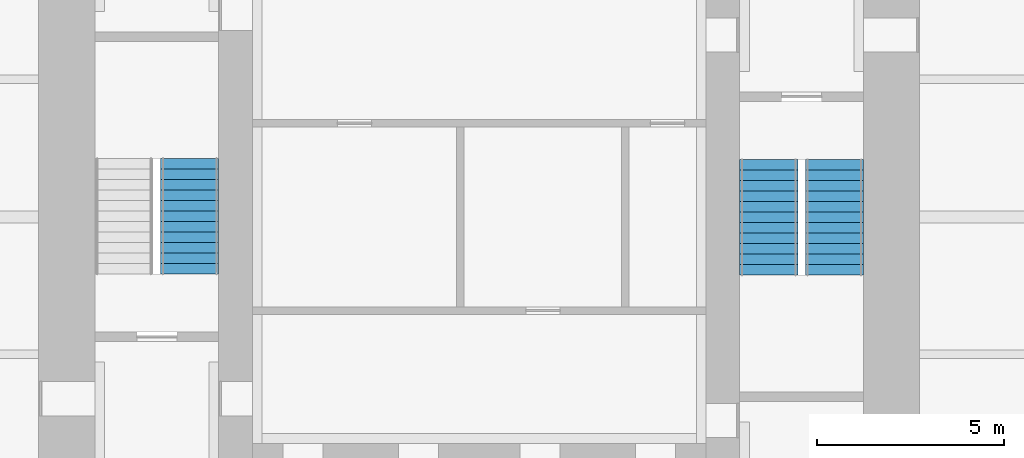
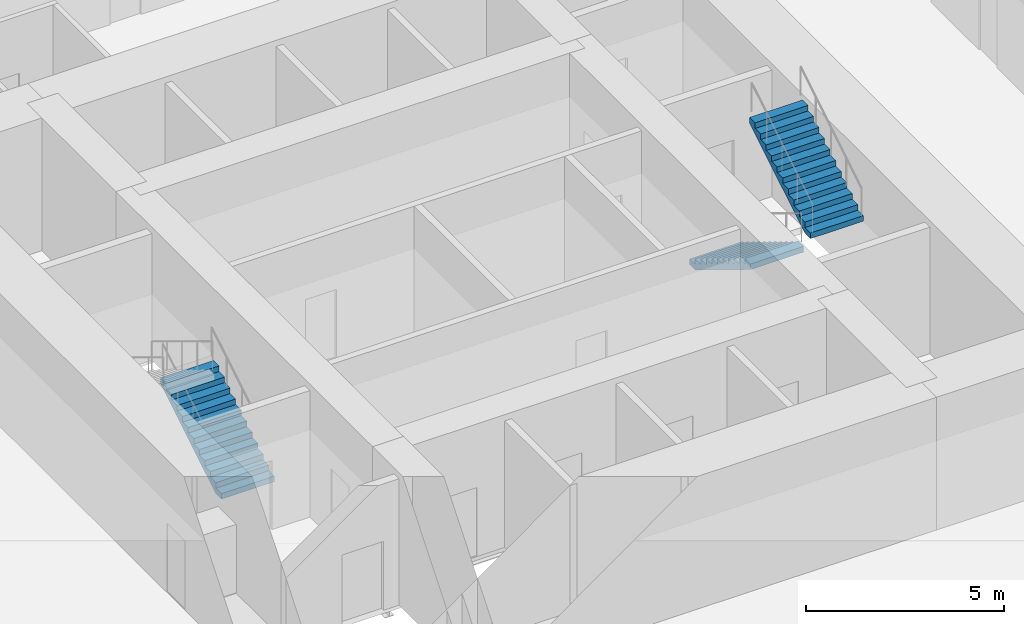
# One storey, part 11 of 12: 3 stair flights, 2 elements without a shape of their own.
"""IFC4 building model written with IfcOpenShell, lengths in metres."""

from ifc_helpers import new_model, si_unit, direction, frame, origin, place, context, subcontext, project, spatial, polyline, outline, extrude, material, type_object, element, aggregate, save


model = new_model("IFC4")

# Units and contexts
model_context = context("Model", 3, precision=1e-05, world=origin(), true_north=direction((0.0, 1.0)))
body_context = subcontext(model_context, "Body", "Model", "MODEL_VIEW")
ifc_project = project(units=[si_unit("LENGTHUNIT", "METRE"), si_unit("AREAUNIT", "SQUARE_METRE"), si_unit("VOLUMEUNIT", "CUBIC_METRE"), si_unit("PLANEANGLEUNIT", "RADIAN"), si_unit("MASSUNIT", "GRAM", prefix="KILO")], contexts=[model_context])

# Site, building, storey
site_placement = place(None, origin())
site = spatial("IfcSite", under=ifc_project, at=site_placement, CompositionType="ELEMENT")
building_placement = place(site_placement, origin())
building = spatial("IfcBuilding", under=site, at=building_placement, Name="Trevanion Tower", CompositionType="ELEMENT")
storey_placement = place(building_placement, frame((0.0, 0.0, 154.10009765625)))
storey = spatial("IfcBuildingStorey", under=building, at=storey_placement, Name="L36", CompositionType="ELEMENT", Elevation=154.10009765625)

# Stair, stair flights
ifc_material_1 = material(Name="Concrete 5,000 psi on steel stringers", Category="concrete")
stair_type = type_object("IfcStairType", Name="ST stair", PredefinedType="HALF_TURN_STAIR", material=ifc_material_1)
stair_1_placement = place(storey_placement, origin())
stair_1 = element("IfcStair", 1, at=stair_1_placement, inside=storey, type_object=stair_type, Name="ST1 L36", PredefinedType="HALF_TURN_STAIR")
ifc_material_2 = material(Name="Concrete 5,000 psi in steel pan", Category="concrete")
stair_flight_type = type_object("IfcStairFlightType", Name="STF stair flight", PredefinedType="STRAIGHT", material=ifc_material_2)
stair_flight_1_placement = place(storey_placement, frame((7.72509765625, 1.52490234375, 0.0), z_axis=(0.0, 0.0, 1.0), x_axis=(0.0, -1.0, 0.0)))
stair_flight_1 = element("IfcStairFlight", 2, at=stair_flight_1_placement, type_object=stair_flight_type, Name="ST1 flight 1", NumberOfRisers=12, NumberOfTreads=11, PredefinedType="STRAIGHT", RiserHeight=0.170833333, TreadLength=0.28, context=body_context, shape_type="SweptSolid", body=[
    extrude(outline(polyline([(0.0, 0.0), (0.0, 0.1708984375), (0.280029296875, 0.1708984375), (0.280029296875, 0.341552734375), (0.56005859375, 0.341552734375), (0.56005859375, 0.512451171875), (0.840087890625, 0.512451171875), (0.840087890625, 0.683349609375), (1.1201171875, 0.683349609375), (1.1201171875, 0.854248046875), (1.39990234375, 0.854248046875), (1.39990234375, 1.02490234375), (1.679931640625, 1.02490234375), (1.679931640625, 1.19580078125), (1.9599609375, 1.19580078125), (1.9599609375, 1.36669921875), (2.239990234375, 1.36669921875), (2.239990234375, 1.53759765625), (2.52001953125, 1.53759765625), (2.52001953125, 1.708251953125), (2.800048828125, 1.708251953125), (2.800048828125, 1.879150390625), (3.080078125, 1.879150390625), (3.080078125, 2.050048828125), (3.080078125, 1.70361328125), (0.287841796875, 0.0), (0.0, 0.0)])), frame((0.0, 0.77490234375, 0.0), z_axis=(0.0, -1.0, 0.0), x_axis=(1.0, 0.0, 0.0)), (0.0, 0.0, 1.0), 1.550048828125),
])
stair_flight_2_placement = place(storey_placement, frame((9.47509765625, -1.554931640625, 2.0498046875), z_axis=(0.0, 0.0, 1.0), x_axis=(0.0, 1.0, 0.0)))
stair_flight_2 = element("IfcStairFlight", 3, at=stair_flight_2_placement, type_object=stair_flight_type, Name="ST1 flight 2", NumberOfRisers=12, NumberOfTreads=11, PredefinedType="STRAIGHT", RiserHeight=0.170833333, TreadLength=0.28, context=body_context, shape_type="SweptSolid", body=[
    extrude(outline(polyline([(0.0, 0.0), (0.0, 0.1708984375), (0.280029296875, 0.1708984375), (0.280029296875, 0.341552734375), (0.56005859375, 0.341552734375), (0.56005859375, 0.512451171875), (0.840087890625, 0.512451171875), (0.840087890625, 0.683349609375), (1.1201171875, 0.683349609375), (1.1201171875, 0.854248046875), (1.39990234375, 0.854248046875), (1.39990234375, 1.02490234375), (1.679931640625, 1.02490234375), (1.679931640625, 1.19580078125), (1.9599609375, 1.19580078125), (1.9599609375, 1.36669921875), (2.239990234375, 1.36669921875), (2.239990234375, 1.53759765625), (2.52001953125, 1.53759765625), (2.52001953125, 1.708251953125), (2.800048828125, 1.708251953125), (2.800048828125, 1.879150390625), (3.080078125, 1.879150390625), (3.080078125, 2.050048828125), (3.080078125, 1.70361328125), (0.287841796875, 0.0), (0.0, 0.0)])), frame((0.0, 0.77490234375, 0.0), z_axis=(0.0, -1.0, 0.0), x_axis=(1.0, 0.0, 0.0)), (0.0, 0.0, 1.0), 1.550048828125),
])
aggregate(stair_1, [stair_flight_1, stair_flight_2])

# Stair, stair flight
stair_2_placement = place(storey_placement, origin())
stair_2 = element("IfcStair", 4, at=stair_2_placement, inside=storey, type_object=stair_type, Name="ST2 L36", PredefinedType="HALF_TURN_STAIR")
stair_flight_3_placement = place(storey_placement, frame((-7.72509765625, -1.52490234375, 0.0), z_axis=(0.0, 0.0, 1.0), x_axis=(0.0, 1.0, 0.0)))
stair_flight_3 = element("IfcStairFlight", 5, at=stair_flight_3_placement, type_object=stair_flight_type, Name="ST2 flight 1", NumberOfRisers=12, NumberOfTreads=11, PredefinedType="STRAIGHT", RiserHeight=0.170833333, TreadLength=0.28, context=body_context, shape_type="SweptSolid", body=[
    extrude(outline(polyline([(0.0, 0.0), (0.0, 0.1708984375), (0.280029296875, 0.1708984375), (0.280029296875, 0.341552734375), (0.56005859375, 0.341552734375), (0.56005859375, 0.512451171875), (0.840087890625, 0.512451171875), (0.840087890625, 0.683349609375), (1.1201171875, 0.683349609375), (1.1201171875, 0.854248046875), (1.39990234375, 0.854248046875), (1.39990234375, 1.02490234375), (1.679931640625, 1.02490234375), (1.679931640625, 1.19580078125), (1.9599609375, 1.19580078125), (1.9599609375, 1.36669921875), (2.239990234375, 1.36669921875), (2.239990234375, 1.53759765625), (2.52001953125, 1.53759765625), (2.52001953125, 1.708251953125), (2.800048828125, 1.708251953125), (2.800048828125, 1.879150390625), (3.080078125, 1.879150390625), (3.080078125, 2.050048828125), (3.080078125, 1.70361328125), (0.287841796875, 0.0), (0.0, 0.0)])), frame((0.0, 0.77490234375, 0.0), z_axis=(0.0, -1.0, 0.0), x_axis=(1.0, 0.0, 0.0)), (0.0, 0.0, 1.0), 1.550048828125),
])
aggregate(stair_2, [stair_flight_3])

save(model, "model.ifc")
